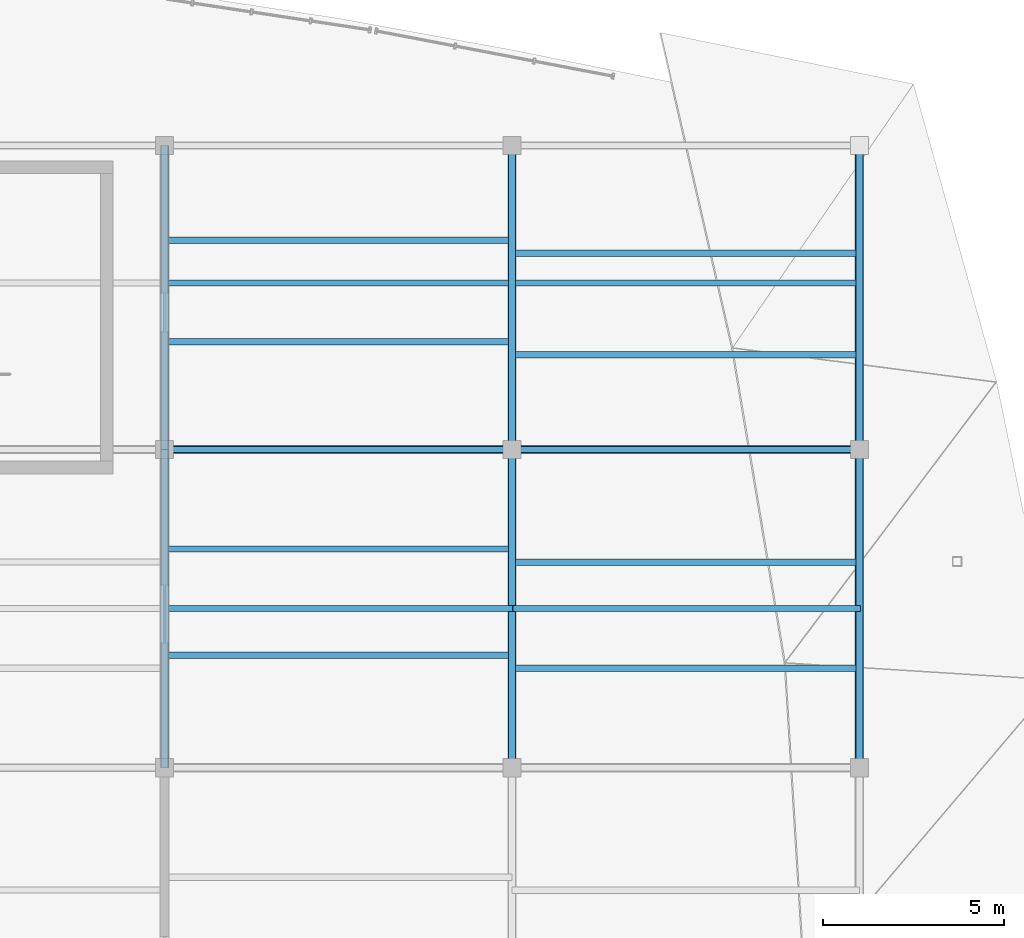
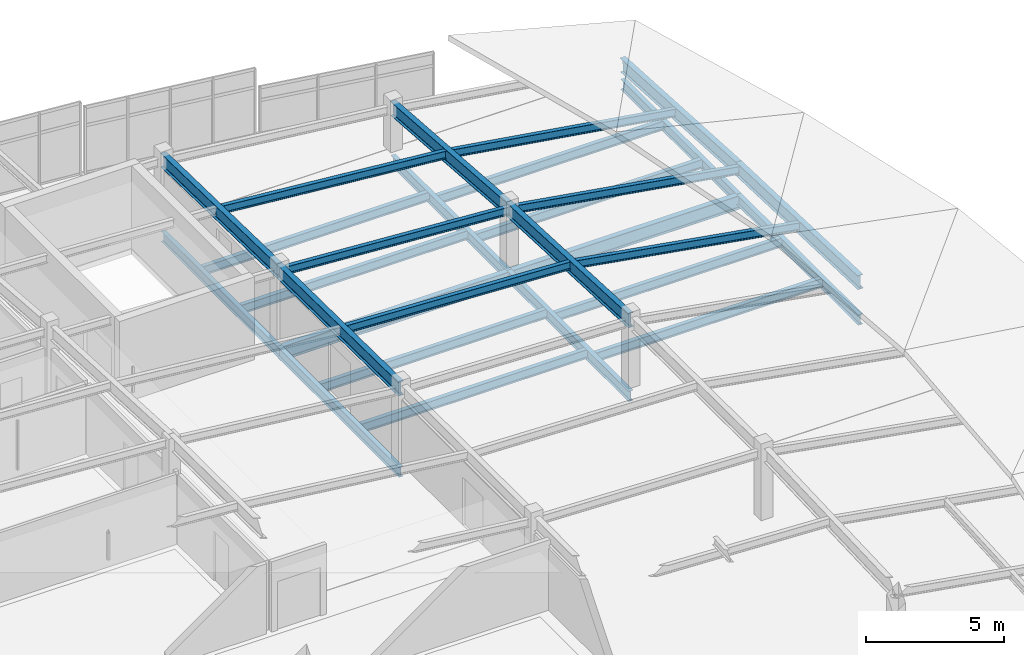
# One storey, part 48 of 65: 22 beams, 6 members.
"""IFC4 building model written with IfcOpenShell, lengths in metres."""

from ifc_helpers import new_model, si_unit, direction, frame, origin, origin_2d, place, context, subcontext, project, spatial, i_section, extrude, material, material_profile, profile_set, type_object, element, save


model = new_model("IFC4")

# Units and contexts
model_context = context("Model", 3, precision=1e-05, world=origin(), true_north=direction((0.0, 1.0)))
body_context = subcontext(model_context, "Body", "Model", "MODEL_VIEW")
ifc_project = project(units=[si_unit("LENGTHUNIT", "METRE"), si_unit("AREAUNIT", "SQUARE_METRE"), si_unit("VOLUMEUNIT", "CUBIC_METRE"), si_unit("PLANEANGLEUNIT", "RADIAN"), si_unit("MASSUNIT", "GRAM", prefix="KILO")], contexts=[model_context])

# Site, building, storey
site_placement = place(None, origin())
site = spatial("IfcSite", under=ifc_project, at=site_placement, CompositionType="ELEMENT")
building_placement = place(site_placement, origin())
building = spatial("IfcBuilding", under=site, at=building_placement, Name="Chalmorin Arch Market", CompositionType="ELEMENT")
storey_placement = place(building_placement, frame((0.0, 0.0, 14.10009765625)))
storey = spatial("IfcBuildingStorey", under=building, at=storey_placement, Name="L03", CompositionType="ELEMENT", Elevation=14.10009765625)

# Beams
ifc_material = material(Name="Steel A992 Grade 50", Category="steel")
ifc_material_profile_1 = material_profile(ifc_material, i_section(OverallWidth=0.193115234375, OverallDepth=0.466064453125, WebThickness=0.011474609375, FlangeThickness=0.01904296875, FilletRadius=0.02001953125, at=origin_2d()), Name="W18X65")
ifc_profile_set_1 = profile_set([ifc_material_profile_1], Name="Steel A992 Grade 50")
beam_type_1 = type_object("IfcBeamType", Name="FloorSteelBeam-W18X65", PredefinedType="BEAM", material=ifc_profile_set_1)
beam_1_placement = place(storey_placement, frame((105.60009765625, 100.800048828125, -0.53515625), z_axis=(0.0, 1.0, 0.0), x_axis=(-1.0, 0.0, 0.0)))
element("IfcBeam", 1, at=beam_1_placement, inside=storey, type_object=beam_type_1, Name="BM-W18A-1489", PredefinedType="BEAM", context=body_context, shape_type="SweptSolid", body=[
    extrude(i_section(OverallWidth=0.193115234375, OverallDepth=0.466064453125, WebThickness=0.011474609375, FlangeThickness=0.01904296875, FilletRadius=0.02001953125, at=origin_2d()), origin(), (0.0, 0.0, 1.0), 8.800048828125),
])
beam_2_placement = place(storey_placement, frame((105.60009765625, 109.60009765625, -0.53515625), z_axis=(0.0, 1.0, 0.0), x_axis=(-1.0, 0.0, 0.0)))
element("IfcBeam", 2, at=beam_2_placement, inside=storey, type_object=beam_type_1, Name="BM-W18A-1491", PredefinedType="BEAM", context=body_context, shape_type="SweptSolid", body=[
    extrude(i_section(OverallWidth=0.193115234375, OverallDepth=0.466064453125, WebThickness=0.011474609375, FlangeThickness=0.01904296875, FilletRadius=0.02001953125, at=origin_2d()), origin(), (0.0, 0.0, 1.0), 8.39990234375),
])
ifc_material_profile_2 = material_profile(ifc_material, i_section(OverallWidth=0.19091796875, OverallDepth=0.45703125, WebThickness=0.009033203125, FlangeThickness=0.014404296875, FilletRadius=0.02001953125, at=origin_2d()), Name="W18X50")
ifc_profile_set_2 = profile_set([ifc_material_profile_2], Name="Steel A992 Grade 50")
beam_type_2 = type_object("IfcBeamType", Name="PerimeterSpandrelBeam-W18X50", PredefinedType="SPANDREL", material=ifc_profile_set_2)
beam_3_placement = place(storey_placement, frame((96.0, 100.800048828125, -0.530517578125), z_axis=(0.0, 1.0, 0.0), x_axis=(-1.0, 0.0, 0.0)))
element("IfcBeam", 3, at=beam_3_placement, inside=storey, type_object=beam_type_2, Name="SP-W18-1434", PredefinedType="SPANDREL", context=body_context, shape_type="SweptSolid", body=[
    extrude(i_section(OverallWidth=0.19091796875, OverallDepth=0.45703125, WebThickness=0.009033203125, FlangeThickness=0.014404296875, FilletRadius=0.02001953125, at=origin_2d()), origin(), (0.0, 0.0, 1.0), 8.800048828125),
])
beam_4_placement = place(storey_placement, frame((96.0, 109.60009765625, -0.530517578125), z_axis=(0.0, 1.0, 0.0), x_axis=(-1.0, 0.0, 0.0)))
element("IfcBeam", 4, at=beam_4_placement, inside=storey, type_object=beam_type_2, Name="SP-W18-1436", PredefinedType="SPANDREL", context=body_context, shape_type="SweptSolid", body=[
    extrude(i_section(OverallWidth=0.19091796875, OverallDepth=0.45703125, WebThickness=0.009033203125, FlangeThickness=0.014404296875, FilletRadius=0.02001953125, at=origin_2d()), origin(), (0.0, 0.0, 1.0), 8.39990234375),
])
beam_5_placement = place(storey_placement, frame((115.199951171875, 100.800048828125, -0.530517578125), z_axis=(0.0, 1.0, 0.0), x_axis=(-1.0, 0.0, 0.0)))
element("IfcBeam", 5, at=beam_5_placement, inside=storey, type_object=beam_type_2, Name="SP-W18-1500", PredefinedType="SPANDREL", context=body_context, shape_type="SweptSolid", body=[
    extrude(i_section(OverallWidth=0.19091796875, OverallDepth=0.45703125, WebThickness=0.009033203125, FlangeThickness=0.014404296875, FilletRadius=0.02001953125, at=origin_2d()), origin(), (0.0, 0.0, 1.0), 8.800048828125),
])
beam_6_placement = place(storey_placement, frame((115.199951171875, 109.60009765625, -0.530517578125), z_axis=(0.0, 1.0, 0.0), x_axis=(-1.0, 0.0, 0.0)))
element("IfcBeam", 6, at=beam_6_placement, inside=storey, type_object=beam_type_2, Name="SP-W18-1502", PredefinedType="SPANDREL", context=body_context, shape_type="SweptSolid", body=[
    extrude(i_section(OverallWidth=0.19091796875, OverallDepth=0.45703125, WebThickness=0.009033203125, FlangeThickness=0.014404296875, FilletRadius=0.02001953125, at=origin_2d()), origin(), (0.0, 0.0, 1.0), 8.39990234375),
])
ifc_material_profile_3 = material_profile(ifc_material, i_section(OverallWidth=0.22802734375, OverallDepth=0.60791015625, WebThickness=0.01123046875, FlangeThickness=0.017333984375, FilletRadius=0.02392578125, at=origin_2d()), Name="W24X76")
ifc_profile_set_3 = profile_set([ifc_material_profile_3], Name="Steel A992 Grade 50")
beam_type_3 = type_object("IfcBeamType", Name="PrimarySteelGirder-W24X76", PredefinedType="BEAM", material=ifc_profile_set_3)
beam_7_placement = place(storey_placement, frame((96.0, 109.60009765625, -0.606201171875), z_axis=(1.0, 0.0, 0.0), x_axis=(0.0, 1.0, 0.0)))
element("IfcBeam", 7, at=beam_7_placement, inside=storey, type_object=beam_type_3, Name="BG-W24B-1488", PredefinedType="BEAM", context=body_context, shape_type="SweptSolid", body=[
    extrude(i_section(OverallWidth=0.22802734375, OverallDepth=0.60791015625, WebThickness=0.01123046875, FlangeThickness=0.017333984375, FilletRadius=0.02392578125, at=origin_2d()), origin(), (0.0, 0.0, 1.0), 9.60009765625),
])
beam_8_placement = place(storey_placement, frame((105.60009765625, 109.60009765625, -0.606201171875), z_axis=(1.0, 0.0, 0.0), x_axis=(0.0, 1.0, 0.0)))
element("IfcBeam", 8, at=beam_8_placement, inside=storey, type_object=beam_type_3, Name="BG-W24B-1499", PredefinedType="BEAM", context=body_context, shape_type="SweptSolid", body=[
    extrude(i_section(OverallWidth=0.22802734375, OverallDepth=0.60791015625, WebThickness=0.01123046875, FlangeThickness=0.017333984375, FilletRadius=0.02392578125, at=origin_2d()), origin(), (0.0, 0.0, 1.0), 9.599853515625),
])
beam_9_placement = place(storey_placement, frame((96.0, 100.800048828125, 3.15087890625), z_axis=(0.0, 0.999905336703, -0.013759274435), x_axis=(-1.0, 0.0, 0.0)))
element("IfcBeam", 9, at=beam_9_placement, inside=storey, type_object=beam_type_3, Name="BG-W24B-1573", PredefinedType="BEAM", context=body_context, shape_type="SweptSolid", body=[
    extrude(i_section(OverallWidth=0.22802734375, OverallDepth=0.60791015625, WebThickness=0.01123046875, FlangeThickness=0.017333984375, FilletRadius=0.02392578125, at=origin_2d()), origin(), (0.0, 0.0, 1.0), 8.80078125),
])
beam_10_placement = place(storey_placement, frame((96.0, 109.60009765625, 3.02978515625), z_axis=(0.0, 0.999758044359, -0.021996652897), x_axis=(-1.0, 0.0, 0.0)))
element("IfcBeam", 10, at=beam_10_placement, inside=storey, type_object=beam_type_3, Name="BG-W24B-1574", PredefinedType="BEAM", context=body_context, shape_type="SweptSolid", body=[
    extrude(i_section(OverallWidth=0.22802734375, OverallDepth=0.60791015625, WebThickness=0.01123046875, FlangeThickness=0.017333984375, FilletRadius=0.02392578125, at=origin_2d()), origin(), (0.0, 0.0, 1.0), 8.40185546875),
])
beam_11_placement = place(storey_placement, frame((105.60009765625, 100.800048828125, 2.804931640625), z_axis=(0.0, 0.998916883172, -0.04653021076), x_axis=(-1.0, 0.0, 0.0)))
element("IfcBeam", 11, at=beam_11_placement, inside=storey, type_object=beam_type_3, Name="BG-W24B-1578", PredefinedType="BEAM", context=body_context, shape_type="SweptSolid", body=[
    extrude(i_section(OverallWidth=0.22802734375, OverallDepth=0.60791015625, WebThickness=0.01123046875, FlangeThickness=0.017333984375, FilletRadius=0.02392578125, at=origin_2d()), origin(), (0.0, 0.0, 1.0), 8.8095703125),
])
beam_12_placement = place(storey_placement, frame((105.60009765625, 109.60009765625, 2.39501953125), z_axis=(0.0, 0.997232608118, -0.074344638721), x_axis=(-1.0, 0.0, 0.0)))
element("IfcBeam", 12, at=beam_12_placement, inside=storey, type_object=beam_type_3, Name="BG-W24B-1579", PredefinedType="BEAM", context=body_context, shape_type="SweptSolid", body=[
    extrude(i_section(OverallWidth=0.22802734375, OverallDepth=0.60791015625, WebThickness=0.01123046875, FlangeThickness=0.017333984375, FilletRadius=0.02392578125, at=origin_2d()), origin(), (0.0, 0.0, 1.0), 8.423095703125),
])
beam_13_placement = place(storey_placement, frame((115.199951171875, 100.800048828125, 1.12890625), z_axis=(0.0, 0.999352250332, -0.035987216561), x_axis=(-1.0, 0.0, 0.0)))
element("IfcBeam", 13, at=beam_13_placement, inside=storey, type_object=beam_type_3, Name="BG-W24B-1583", PredefinedType="BEAM", context=body_context, shape_type="SweptSolid", body=[
    extrude(i_section(OverallWidth=0.22802734375, OverallDepth=0.60791015625, WebThickness=0.01123046875, FlangeThickness=0.017333984375, FilletRadius=0.02392578125, at=origin_2d()), origin(), (0.0, 0.0, 1.0), 8.8056640625),
])
beam_14_placement = place(storey_placement, frame((115.199951171875, 109.60009765625, 0.81201171875), z_axis=(0.0, 0.99834987355, -0.057424123692), x_axis=(-1.0, 0.0, 0.0)))
element("IfcBeam", 14, at=beam_14_placement, inside=storey, type_object=beam_type_3, Name="BG-W24B-1584", PredefinedType="BEAM", context=body_context, shape_type="SweptSolid", body=[
    extrude(i_section(OverallWidth=0.22802734375, OverallDepth=0.60791015625, WebThickness=0.01123046875, FlangeThickness=0.017333984375, FilletRadius=0.02392578125, at=origin_2d()), origin(), (0.0, 0.0, 1.0), 8.413818359375),
])

# Members
ifc_material_profile_4 = material_profile(ifc_material, i_section(OverallWidth=0.1708984375, OverallDepth=0.35107421875, WebThickness=0.0068359375, FlangeThickness=0.009765625, FilletRadius=0.014892578125, at=origin_2d()), Name="W14X30")
ifc_profile_set_4 = profile_set([ifc_material_profile_4], Name="Steel A992 Grade 50")
member_type = type_object("IfcMemberType", Name="RoofSteelPurlin-W14X30", PredefinedType="PURLIN", material=ifc_profile_set_4)
member_1_placement = place(storey_placement, frame((96.0, 105.199951171875, 3.06298828125), z_axis=(0.998833452077, 0.0, -0.048288042124), x_axis=(0.0, 1.0, 0.0)))
element("IfcMember", 15, at=member_1_placement, inside=storey, type_object=member_type, Name="PR-W14-0103", PredefinedType="PURLIN", context=body_context, shape_type="SweptSolid", body=[
    extrude(i_section(OverallWidth=0.1708984375, OverallDepth=0.35107421875, WebThickness=0.0068359375, FlangeThickness=0.009765625, FilletRadius=0.014892578125, at=origin_2d()), origin(), (0.0, 0.0, 1.0), 9.611328125),
])
member_2_placement = place(storey_placement, frame((105.60009765625, 105.199951171875, 2.598876953125), z_axis=(0.985754475613, 0.0, -0.168190706668), x_axis=(0.0, 1.0, 0.0)))
element("IfcMember", 16, at=member_2_placement, inside=storey, type_object=member_type, Name="PR-W14-0104", PredefinedType="PURLIN", context=body_context, shape_type="SweptSolid", body=[
    extrude(i_section(OverallWidth=0.1708984375, OverallDepth=0.35107421875, WebThickness=0.0068359375, FlangeThickness=0.009765625, FilletRadius=0.014892578125, at=origin_2d()), origin(), (0.0, 0.0, 1.0), 9.738525390625),
])
member_3_placement = place(storey_placement, frame((96.0, 109.60009765625, 2.989990234375), z_axis=(0.997819494286, 0.0, -0.066001945594), x_axis=(0.0, 1.0, 0.0)))
element("IfcMember", 17, at=member_3_placement, inside=storey, type_object=member_type, Name="PR-W14-0110", PredefinedType="PURLIN", context=body_context, shape_type="SweptSolid", body=[
    extrude(i_section(OverallWidth=0.1708984375, OverallDepth=0.35107421875, WebThickness=0.0068359375, FlangeThickness=0.009765625, FilletRadius=0.014892578125, at=origin_2d()), origin(), (0.0, 0.0, 1.0), 9.62109375),
])
member_4_placement = place(storey_placement, frame((105.60009765625, 109.60009765625, 2.35498046875), z_axis=(0.986675267382, 0.0, -0.162701926037), x_axis=(0.0, 1.0, 0.0)))
element("IfcMember", 18, at=member_4_placement, inside=storey, type_object=member_type, Name="PR-W14-0111", PredefinedType="PURLIN", context=body_context, shape_type="SweptSolid", body=[
    extrude(i_section(OverallWidth=0.1708984375, OverallDepth=0.35107421875, WebThickness=0.0068359375, FlangeThickness=0.009765625, FilletRadius=0.014892578125, at=origin_2d()), origin(), (0.0, 0.0, 1.0), 9.7294921875),
])
member_5_placement = place(storey_placement, frame((96.0, 114.199951171875, 2.89501953125), z_axis=(0.99598343374, 0.0, -0.089537699971), x_axis=(0.0, 1.0, 0.0)))
element("IfcMember", 19, at=member_5_placement, inside=storey, type_object=member_type, Name="PR-W14-0117", PredefinedType="PURLIN", context=body_context, shape_type="SweptSolid", body=[
    extrude(i_section(OverallWidth=0.1708984375, OverallDepth=0.35107421875, WebThickness=0.0068359375, FlangeThickness=0.009765625, FilletRadius=0.014892578125, at=origin_2d()), origin(), (0.0, 0.0, 1.0), 9.638916015625),
])
member_6_placement = place(storey_placement, frame((105.60009765625, 114.199951171875, 2.031982421875), z_axis=(0.987869473662, 0.0, -0.155286519079), x_axis=(0.0, 1.0, 0.0)))
element("IfcMember", 20, at=member_6_placement, inside=storey, type_object=member_type, Name="PR-W14-0118", PredefinedType="PURLIN", context=body_context, shape_type="SweptSolid", body=[
    extrude(i_section(OverallWidth=0.1708984375, OverallDepth=0.35107421875, WebThickness=0.0068359375, FlangeThickness=0.009765625, FilletRadius=0.014892578125, at=origin_2d()), origin(), (0.0, 0.0, 1.0), 9.7177734375),
])

# Beams
ifc_material_profile_5 = material_profile(ifc_material, i_section(OverallWidth=0.177978515625, OverallDepth=0.403076171875, WebThickness=0.007568359375, FlangeThickness=0.010986328125, FilletRadius=0.01806640625, at=origin_2d()), Name="W16X36")
ifc_profile_set_5 = profile_set([ifc_material_profile_5], Name="Steel A992 Grade 50")
beam_type_4 = type_object("IfcBeamType", Name="SecondaryFloorJoist-W16X36", PredefinedType="JOIST", material=ifc_profile_set_5)
for number, where, z_axis, x_axis, name in (
    (21, (96.0, 103.913330078125, -0.503662109375), (1.0, 0.0, 0.0), (0.0, 1.0, 0.0), "BJ-W16B-1509"),
    (22, (96.0, 106.8466796875, -0.503662109375), (1.0, 0.0, 0.0), (0.0, 1.0, 0.0), "BJ-W16B-1510"),
    (23, (96.0, 112.580078125, -0.503662109375), (1.0, 0.0, 0.0), (0.0, 1.0, 0.0), "BJ-W16B-1511"),
    (24, (96.0, 115.3798828125, -0.503662109375), (1.0, 0.0, 0.0), (0.0, 1.0, 0.0), "BJ-W16B-1512"),
):
    element("IfcBeam", number, at=place(storey_placement, frame(where, z_axis=z_axis, x_axis=x_axis)), inside=storey, type_object=beam_type_4, Name=name, PredefinedType="JOIST", context=body_context, shape_type="SweptSolid", body=[
        extrude(i_section(OverallWidth=0.177978515625, OverallDepth=0.403076171875, WebThickness=0.007568359375, FlangeThickness=0.010986328125, FilletRadius=0.01806640625, at=origin_2d()), origin(), (0.0, 0.0, 1.0), 9.60009765625),
    ])
for number, where, z_axis, x_axis, name in (
    (25, (105.60009765625, 103.55322265625, -0.503662109375), (1.0, 0.0, 0.0), (0.0, 1.0, 0.0), "BJ-W16B-1519"),
    (26, (105.60009765625, 106.48681640625, -0.503662109375), (1.0, 0.0, 0.0), (0.0, 1.0, 0.0), "BJ-W16B-1520"),
    (27, (105.60009765625, 112.219970703125, -0.503662109375), (1.0, 0.0, 0.0), (0.0, 1.0, 0.0), "BJ-W16B-1521"),
    (28, (105.60009765625, 115.02001953125, -0.503662109375), (1.0, 0.0, 0.0), (0.0, 1.0, 0.0), "BJ-W16B-1522"),
):
    element("IfcBeam", number, at=place(storey_placement, frame(where, z_axis=z_axis, x_axis=x_axis)), inside=storey, type_object=beam_type_4, Name=name, PredefinedType="JOIST", context=body_context, shape_type="SweptSolid", body=[
        extrude(i_section(OverallWidth=0.177978515625, OverallDepth=0.403076171875, WebThickness=0.007568359375, FlangeThickness=0.010986328125, FilletRadius=0.01806640625, at=origin_2d()), origin(), (0.0, 0.0, 1.0), 9.599853515625),
    ])

save(model, "model.ifc")
